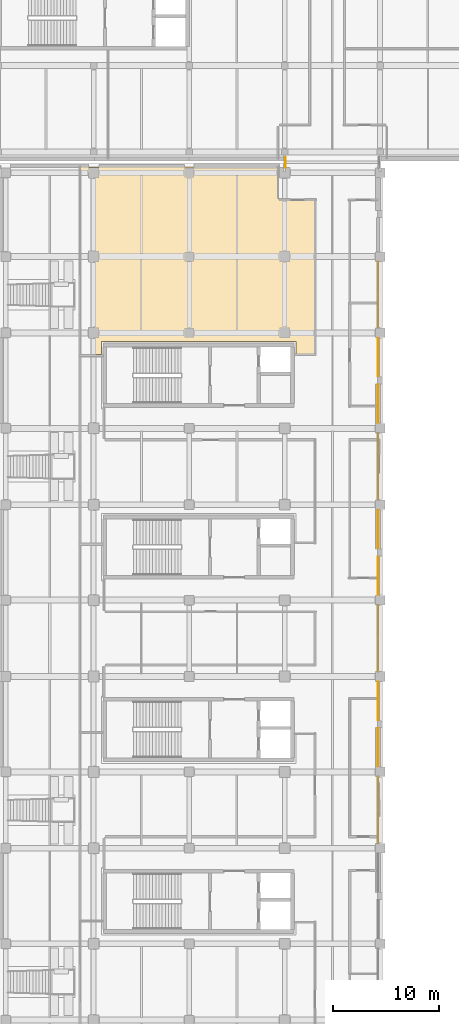
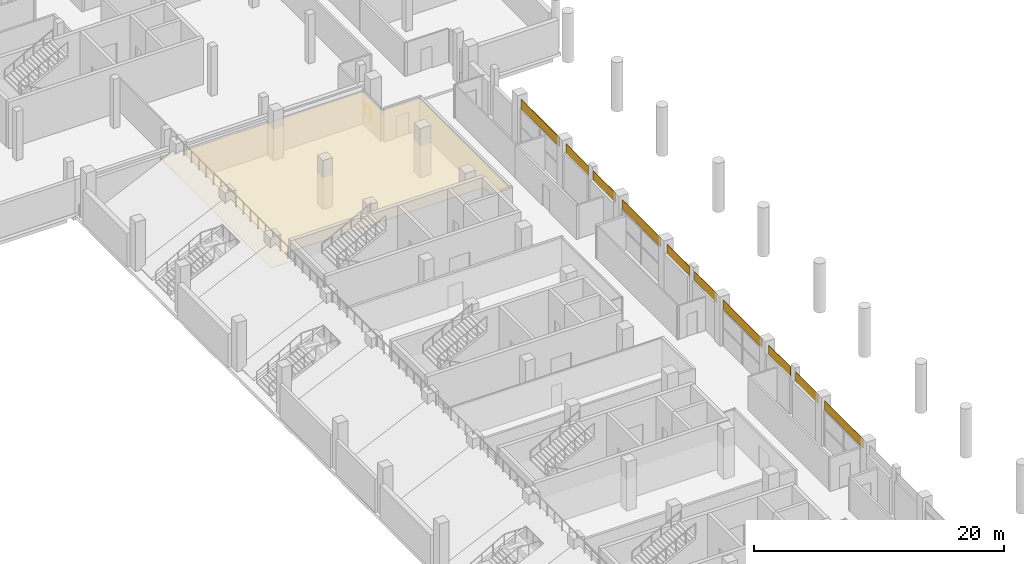
# One storey, part 94 of 100: 11 coverings, 1 railing.
"""IFC4 building model written with IfcOpenShell, lengths in metres."""

from ifc_helpers import new_model, si_unit, direction, frame, origin, origin_2d, place, context, subcontext, project, spatial, polyline, rectangle, circle, outline, extrude, material, layer, layer_set, type_object, element, save


model = new_model("IFC4")

# Units and contexts
model_context = context("Model", 3, precision=1e-05, world=origin(), true_north=direction((0.0, 1.0)))
body_context = subcontext(model_context, "Body", "Model", "MODEL_VIEW")
ifc_project = project(units=[si_unit("LENGTHUNIT", "METRE"), si_unit("AREAUNIT", "SQUARE_METRE"), si_unit("VOLUMEUNIT", "CUBIC_METRE"), si_unit("PLANEANGLEUNIT", "RADIAN"), si_unit("MASSUNIT", "GRAM", prefix="KILO"), si_unit("THERMODYNAMICTEMPERATUREUNIT", "KELVIN"), si_unit("POWERUNIT", "WATT")], contexts=[model_context])

# Site, building, storey
site_placement = place(None, origin())
site = spatial("IfcSite", under=ifc_project, at=site_placement, CompositionType="ELEMENT")
building_placement = place(site_placement, origin())
building = spatial("IfcBuilding", under=site, at=building_placement, Name="Sindhuravela Promenade Stadium", CompositionType="ELEMENT")
storey_placement = place(building_placement, frame((0.0, 0.0, 4.800048828125)))
storey = spatial("IfcBuildingStorey", under=building, at=storey_placement, Name="L01", CompositionType="ELEMENT", Elevation=4.800048828125)

# Coverings
ifc_material_1 = material(Name="Acoustic mineral-fibre ceiling tile", Category="gypsum")
ifc_layer_1 = layer(ifc_material_1, 0.02490234375)
ifc_layer_set_1 = layer_set([ifc_layer_1], Name="Acoustic mineral-fibre ceiling tile")
covering_type_1 = type_object("IfcCoveringType", Name="CV-CEIL-1", PredefinedType="CEILING", material=ifc_layer_set_1)
covering_1_placement = place(storey_placement, frame((0.0, 0.0, 3.050048828125)))
element("IfcCovering", 1, at=covering_1_placement, inside=storey, type_object=covering_type_1, Name="Acoustic ceiling Sports Museum Main Exhibition Hall", PredefinedType="CEILING", context=body_context, shape_type="SweptSolid", body=[
    extrude(outline(polyline([(178.679931640625, 125.429931640625), (178.68017578125, 125.431884765625), (178.680419921875, 125.433837890625), (178.680908203125, 125.435791015625), (178.681396484375, 125.437744140625), (178.682373046875, 125.439453125), (178.683349609375, 125.441162109375), (178.6845703125, 125.442626953125), (178.685791015625, 125.444091796875), (178.687255859375, 125.445556640625), (178.68896484375, 125.446533203125), (178.690673828125, 125.447509765625), (178.6923828125, 125.448486328125), (178.694091796875, 125.44921875), (178.696044921875, 125.44970703125), (178.697998046875, 125.449951171875), (178.699951171875, 125.449951171875), (197.360107421875, 125.449951171875), (197.362060546875, 125.449951171875), (197.364013671875, 125.44970703125), (197.36572265625, 125.44921875), (197.36767578125, 125.448486328125), (197.369384765625, 125.447509765625), (197.37109375, 125.446533203125), (197.372802734375, 125.445556640625), (197.3740234375, 125.444091796875), (197.37548828125, 125.442626953125), (197.376708984375, 125.441162109375), (197.377685546875, 125.439453125), (197.37841796875, 125.437744140625), (197.379150390625, 125.435791015625), (197.379638671875, 125.433837890625), (197.3798828125, 125.431884765625), (197.3798828125, 125.429931640625), (197.3798828125, 122.58056640625), (197.381103515625, 122.558349609375), (197.38427734375, 122.537109375), (197.389404296875, 122.51611328125), (197.396728515625, 122.495849609375), (197.406005859375, 122.476318359375), (197.4169921875, 122.457763671875), (197.429931640625, 122.4404296875), (197.444580078125, 122.424560546875), (197.46044921875, 122.409912109375), (197.477783203125, 122.397216796875), (197.496337890625, 122.385986328125), (197.515869140625, 122.376708984375), (197.5361328125, 122.369384765625), (197.55712890625, 122.3642578125), (197.578369140625, 122.361083984375), (197.6005859375, 122.360107421875), (200.860107421875, 122.360107421875), (200.862060546875, 122.35986328125), (200.864013671875, 122.359619140625), (200.86572265625, 122.359130859375), (200.86767578125, 122.3583984375), (200.869384765625, 122.357666015625), (200.87109375, 122.356689453125), (200.872802734375, 122.35546875), (200.8740234375, 122.35400390625), (200.87548828125, 122.352783203125), (200.876708984375, 122.35107421875), (200.877685546875, 122.349365234375), (200.87841796875, 122.34765625), (200.879150390625, 122.345703125), (200.879638671875, 122.343994140625), (200.8798828125, 122.342041015625), (200.8798828125, 122.340087890625), (200.8798828125, 107.778076171875), (200.8798828125, 107.77587890625), (200.879638671875, 107.774169921875), (200.879150390625, 107.772216796875), (200.87841796875, 107.770263671875), (200.877685546875, 107.7685546875), (200.876708984375, 107.766845703125), (200.87548828125, 107.765380859375), (200.8740234375, 107.763916015625), (200.872802734375, 107.762451171875), (200.87109375, 107.761474609375), (200.869384765625, 107.760498046875), (200.86767578125, 107.759521484375), (200.86572265625, 107.7587890625), (200.864013671875, 107.75830078125), (200.862060546875, 107.758056640625), (200.860107421875, 107.758056640625), (199.10009765625, 107.758056640625), (199.097900390625, 107.758056640625), (199.09619140625, 107.75830078125), (199.09423828125, 107.7587890625), (199.09228515625, 107.759521484375), (199.090576171875, 107.760498046875), (199.0888671875, 107.761474609375), (199.08740234375, 107.762451171875), (199.0859375, 107.763916015625), (199.08447265625, 107.765380859375), (199.08349609375, 107.766845703125), (199.08251953125, 107.7685546875), (199.08154296875, 107.770263671875), (199.080810546875, 107.772216796875), (199.080322265625, 107.774169921875), (199.080078125, 107.77587890625), (199.080078125, 107.778076171875), (199.080078125, 108.97998046875), (180.719970703125, 108.97998046875), (180.719970703125, 107.778076171875), (180.719970703125, 107.77587890625), (180.719482421875, 107.774169921875), (180.718994140625, 107.772216796875), (180.718505859375, 107.770263671875), (180.717529296875, 107.7685546875), (180.716552734375, 107.766845703125), (180.715576171875, 107.765380859375), (180.714111328125, 107.763916015625), (180.712646484375, 107.762451171875), (180.711181640625, 107.761474609375), (180.70947265625, 107.760498046875), (180.707763671875, 107.759521484375), (180.705810546875, 107.7587890625), (180.703857421875, 107.75830078125), (180.701904296875, 107.758056640625), (180.699951171875, 107.758056640625), (178.699951171875, 107.758056640625), (178.697998046875, 107.758056640625), (178.696044921875, 107.75830078125), (178.694091796875, 107.7587890625), (178.6923828125, 107.759521484375), (178.690673828125, 107.760498046875), (178.68896484375, 107.761474609375), (178.687255859375, 107.762451171875), (178.685791015625, 107.763916015625), (178.6845703125, 107.765380859375), (178.683349609375, 107.766845703125), (178.682373046875, 107.7685546875), (178.681396484375, 107.770263671875), (178.680908203125, 107.772216796875), (178.680419921875, 107.774169921875), (178.68017578125, 107.77587890625), (178.679931640625, 107.778076171875), (178.679931640625, 125.429931640625)])), origin(), (0.0, 0.0, 1.0), 0.02490234375),
])
ifc_material_2 = material(Name="Polychrome trencadis ceramic mosaic", Category="masonry")
ifc_layer_2 = layer(ifc_material_2, 0.034912109375)
ifc_layer_set_2 = layer_set([ifc_layer_2], Name="Polychrome trencadis ceramic mosaic")
covering_type_2 = type_object("IfcCoveringType", Name="CV-TRENC-1", PredefinedType="CLADDING", material=ifc_layer_set_2)
covering_2_placement = place(storey_placement, frame((206.820068359375, 107.487548828125, 3.55517578125), z_axis=(0.0, 0.0, 1.0), x_axis=(0.0, -1.0, 0.0)))
element("IfcCovering", 2, at=covering_2_placement, inside=storey, type_object=covering_type_2, Name="Trencadis ceramic mosaic spandrel frieze EAST L01-158", PredefinedType="CLADDING", context=body_context, shape_type="SweptSolid", body=[
    extrude(rectangle(XDim=3.594970703125, YDim=0.034912109375, at=origin_2d()), origin(), (0.0, 0.0, 1.0), 0.905029296875),
])
covering_3_placement = place(storey_placement, frame((206.820068359375, 97.199951171875, 3.55517578125), z_axis=(0.0, 0.0, 1.0), x_axis=(0.0, -1.0, 0.0)))
element("IfcCovering", 3, at=covering_3_placement, inside=storey, type_object=covering_type_2, Name="Trencadis ceramic mosaic spandrel frieze EAST L01-160", PredefinedType="CLADDING", context=body_context, shape_type="SweptSolid", body=[
    extrude(rectangle(XDim=6.169921875, YDim=0.034912109375, at=origin_2d()), origin(), (0.0, 0.0, 1.0), 0.905029296875),
])
for number, where, z_axis, x_axis, name in (
    (4, (206.820068359375, 86.91259765625, 3.55517578125), (0.0, 0.0, 1.0), (0.0, -1.0, 0.0), "Trencadis ceramic mosaic spandrel frieze EAST L01-162"),
    (5, (206.820068359375, 75.08740234375, 3.55517578125), (0.0, 0.0, 1.0), (0.0, -1.0, 0.0), "Trencadis ceramic mosaic spandrel frieze EAST L01-164"),
):
    element("IfcCovering", number, at=place(storey_placement, frame(where, z_axis=z_axis, x_axis=x_axis)), inside=storey, type_object=covering_type_2, Name=name, PredefinedType="CLADDING", context=body_context, shape_type="SweptSolid", body=[
        extrude(rectangle(XDim=3.594970703125, YDim=0.034912109375, at=origin_2d()), origin(), (0.0, 0.0, 1.0), 0.905029296875),
    ])
covering_4_placement = place(storey_placement, frame((206.820068359375, 64.800048828125, 3.55517578125), z_axis=(0.0, 0.0, 1.0), x_axis=(0.0, -1.0, 0.0)))
element("IfcCovering", 6, at=covering_4_placement, inside=storey, type_object=covering_type_2, Name="Trencadis ceramic mosaic spandrel frieze EAST L01-166", PredefinedType="CLADDING", context=body_context, shape_type="SweptSolid", body=[
    extrude(rectangle(XDim=6.169921875, YDim=0.034912109375, at=origin_2d()), origin(), (0.0, 0.0, 1.0), 0.905029296875),
])
ifc_layer_3 = layer(ifc_material_2, 0.050048828125)
ifc_layer_set_3 = layer_set([ifc_layer_3], Name="Polychrome trencadis ceramic mosaic")
covering_type_3 = type_object("IfcCoveringType", Name="CV-TRENC-2", PredefinedType="CLADDING", material=ifc_layer_set_3)
covering_5_placement = place(storey_placement, frame((206.820068359375, 113.39990234375, 3.55517578125), z_axis=(0.0, 0.0, 1.0), x_axis=(0.0, -1.0, 0.0)))
element("IfcCovering", 7, at=covering_5_placement, inside=storey, type_object=covering_type_3, Name="Trencadis ceramic mosaic spandrel frieze EAST L01-157", PredefinedType="CLADDING", context=body_context, shape_type="SweptSolid", body=[
    extrude(rectangle(XDim=6.169921875, YDim=0.050048828125, at=origin_2d()), origin(), (0.0, 0.0, 1.0), 0.905029296875),
])
for number, where, z_axis, x_axis, name in (
    (8, (206.820068359375, 103.112548828125, 3.55517578125), (0.0, 0.0, 1.0), (0.0, -1.0, 0.0), "Trencadis ceramic mosaic spandrel frieze EAST L01-159"),
    (9, (206.820068359375, 91.28759765625, 3.55517578125), (0.0, 0.0, 1.0), (0.0, -1.0, 0.0), "Trencadis ceramic mosaic spandrel frieze EAST L01-161"),
):
    element("IfcCovering", number, at=place(storey_placement, frame(where, z_axis=z_axis, x_axis=x_axis)), inside=storey, type_object=covering_type_3, Name=name, PredefinedType="CLADDING", context=body_context, shape_type="SweptSolid", body=[
        extrude(rectangle(XDim=3.594970703125, YDim=0.050048828125, at=origin_2d()), origin(), (0.0, 0.0, 1.0), 0.905029296875),
    ])
covering_6_placement = place(storey_placement, frame((206.820068359375, 81.0, 3.55517578125), z_axis=(0.0, 0.0, 1.0), x_axis=(0.0, -1.0, 0.0)))
element("IfcCovering", 10, at=covering_6_placement, inside=storey, type_object=covering_type_3, Name="Trencadis ceramic mosaic spandrel frieze EAST L01-163", PredefinedType="CLADDING", context=body_context, shape_type="SweptSolid", body=[
    extrude(rectangle(XDim=6.169921875, YDim=0.050048828125, at=origin_2d()), origin(), (0.0, 0.0, 1.0), 0.905029296875),
])
covering_7_placement = place(storey_placement, frame((206.820068359375, 70.71240234375, 3.55517578125), z_axis=(0.0, 0.0, 1.0), x_axis=(0.0, -1.0, 0.0)))
element("IfcCovering", 11, at=covering_7_placement, inside=storey, type_object=covering_type_3, Name="Trencadis ceramic mosaic spandrel frieze EAST L01-165", PredefinedType="CLADDING", context=body_context, shape_type="SweptSolid", body=[
    extrude(rectangle(XDim=3.594970703125, YDim=0.050048828125, at=origin_2d()), origin(), (0.0, 0.0, 1.0), 0.905029296875),
])

# Railing
ifc_material_3 = material(Name="Architectural wrought steel E350", Category="steel")
railing_type = type_object("IfcRailingType", Name="RL-GRD-1150", PredefinedType="GUARDRAIL", material=ifc_material_3)
railing_placement = place(storey_placement, frame((198.080078125, 125.39990234375, 0.0)))
element("IfcRailing", 12, at=railing_placement, inside=storey, type_object=railing_type, Name="Bridge edge guardrail GR01-63", PredefinedType="GUARDRAIL", context=body_context, shape_type="SweptSolid", body=[
    extrude(circle(Radius=0.02392578125, at=origin_2d()), frame((0.0, 0.0, 1.1259765625), z_axis=(0.0, 1.0, 0.0), x_axis=(-1.0, 0.0, 0.0)), (0.0, 0.0, 1.0), 0.9501953125),
    extrude(circle(Radius=0.02099609375, at=origin_2d()), origin(), (0.0, 0.0, 1.0), 1.101806640625),
    extrude(circle(Radius=0.02099609375, at=origin_2d()), frame((0.0, 0.9501953125, 0.0)), (0.0, 0.0, 1.0), 1.101806640625),
])

save(model, "model.ifc")
